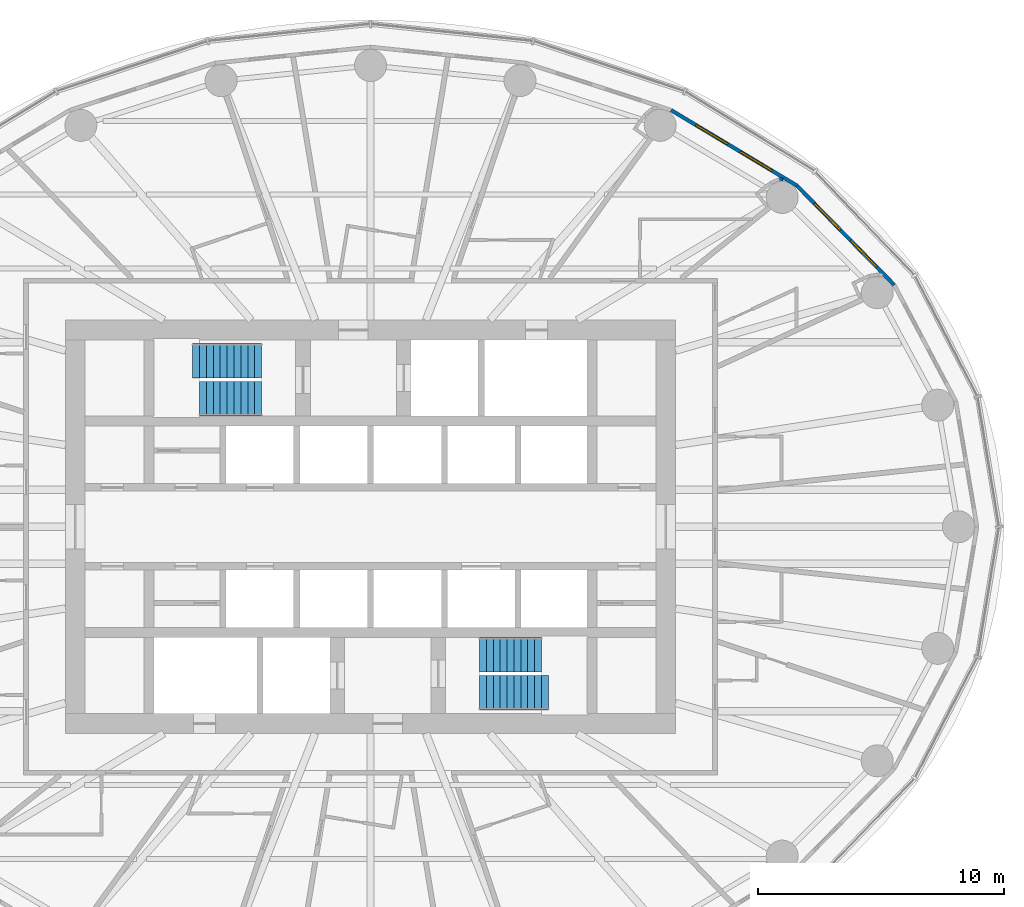
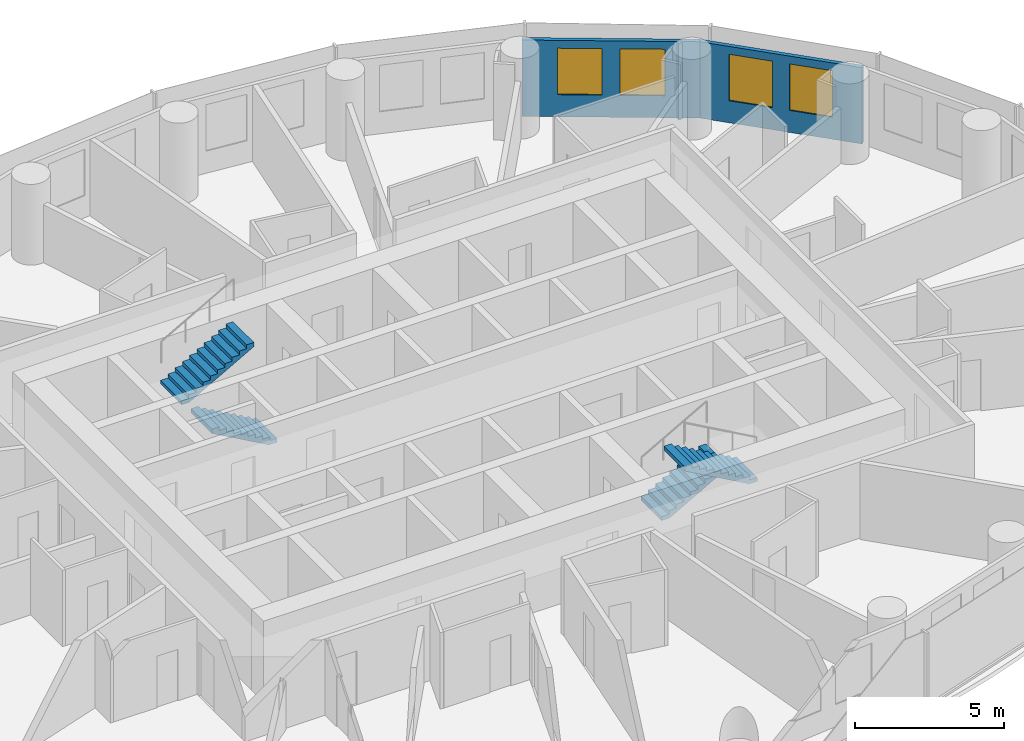
# One storey, part 12 of 13: 4 stair flights, 4 windows, 3 walls, 4 openings, 2 elements without a shape of their own.
"""IFC4 building model written with IfcOpenShell, lengths in metres."""

from ifc_helpers import new_model, si_unit, direction, frame, frame_2d, origin, place, context, subcontext, project, spatial, polyline, rectangle, outline, extrude, material, layer, layer_set, type_object, element, fill, aggregate, save


model = new_model("IFC4")

# Units and contexts
model_context = context("Model", 3, precision=1e-05, world=origin(), true_north=direction((0.0, 1.0)))
body_context = subcontext(model_context, "Body", "Model", "MODEL_VIEW")
ifc_project = project(units=[si_unit("LENGTHUNIT", "METRE"), si_unit("AREAUNIT", "SQUARE_METRE"), si_unit("VOLUMEUNIT", "CUBIC_METRE"), si_unit("PLANEANGLEUNIT", "RADIAN"), si_unit("MASSUNIT", "GRAM", prefix="KILO")], contexts=[model_context])

# Site, building, storey
site_placement = place(None, origin())
site = spatial("IfcSite", under=ifc_project, at=site_placement, CompositionType="ELEMENT")
building_placement = place(site_placement, origin())
building = spatial("IfcBuilding", under=site, at=building_placement, Name="Hankou Lantern Tower", CompositionType="ELEMENT")
storey_placement = place(building_placement, frame((0.0, 0.0, 125.39990234375)))
storey = spatial("IfcBuildingStorey", under=building, at=storey_placement, Name="L32", CompositionType="ELEMENT", Elevation=125.39990234375)

# Wall, openings, windows
ifc_material_1 = material(Name="Aluminium spandrel panel on steel studs", Category="steel")
ifc_layer_1 = layer(ifc_material_1, 0.14990234375)
ifc_layer_set_1 = layer_set([ifc_layer_1], Name="Aluminium spandrel panel on steel studs")
wall_type_1 = type_object("IfcWallType", Name="EW1 INNER SKIN WALL 150", PredefinedType="ELEMENTEDWALL", material=ifc_layer_set_1)
wall_1_placement = place(storey_placement, frame((21.287353515625, 9.83203125, 0.0), z_axis=(0.0, 0.0, 1.0), x_axis=(-0.700136650834, 0.714008872605, 0.0)))
wall_1 = element("IfcWall", 1, at=wall_1_placement, inside=storey, type_object=wall_type_1, Name="Inner skin R03-R04 L32", PredefinedType="ELEMENTEDWALL", context=body_context, shape_type="SweptSolid", body=[
    extrude(rectangle(XDim=5.6494140625, YDim=0.14990234375, at=frame_2d((2.82470703125, 0.0))), origin(), (0.0, 0.0, 1.0), 3.1201171875),
])
opening_1_placement = place(wall_1_placement, frame((1.024658203125, 0.0, 0.89990234375)))
opening_1 = element("IfcOpeningElement", 2, at=opening_1_placement, cuts=wall_1, Name="Opening W2", PredefinedType="OPENING", context=body_context, shape_type="SweptSolid", body=[
    extrude(rectangle(XDim=1.5, YDim=1.89990234375, at=frame_2d((0.75, 0.949951171875))), frame((0.0, 0.0849609375, 0.0), z_axis=(0.0, -1.0, 0.0), x_axis=(1.0, 0.0, 0.0)), (0.0, 0.0, 1.0), 0.169921875),
])
opening_2_placement = place(wall_1_placement, frame((3.12451171875, 0.0, 0.89990234375)))
opening_2 = element("IfcOpeningElement", 3, at=opening_2_placement, cuts=wall_1, Name="Opening W2", PredefinedType="OPENING", context=body_context, shape_type="SweptSolid", body=[
    extrude(rectangle(XDim=1.5, YDim=1.89990234375, at=frame_2d((0.75, 0.949951171875))), frame((0.0, 0.0849609375, 0.0), z_axis=(0.0, -1.0, 0.0), x_axis=(1.0, 0.0, 0.0)), (0.0, 0.0, 1.0), 0.169921875),
])
ifc_material_2 = material(Name="Aluminium framed double glazed window", Category="aluminium")
window_type = type_object("IfcWindowType", Name="W2 GUEST ROOM WINDOW 1500X1900", PartitioningType="DOUBLE_PANEL_VERTICAL", PredefinedType="WINDOW", material=ifc_material_2)
window_1_placement = place(opening_1_placement, origin())
window_1 = element("IfcWindow", 4, at=window_1_placement, inside=storey, type_object=window_type, Name="Window R03.1 L32", OverallHeight=1.89990234375, OverallWidth=1.5, PartitioningType="SINGLE_PANEL", PredefinedType="WINDOW", context=body_context, shape_type="SweptSolid", body=[
    extrude(rectangle(XDim=1.5, YDim=1.89990234375, at=frame_2d((0.75, 0.949951171875))), frame((0.0, 0.030029296875, 0.0), z_axis=(0.0, -1.0, 0.0), x_axis=(1.0, 0.0, 0.0)), (0.0, 0.0, 1.0), 0.06005859375),
])
fill(opening_1, window_1)
window_2_placement = place(opening_2_placement, origin())
window_2 = element("IfcWindow", 5, at=window_2_placement, inside=storey, type_object=window_type, Name="Window R03.2 L32", OverallHeight=1.89990234375, OverallWidth=1.5, PartitioningType="SINGLE_PANEL", PredefinedType="WINDOW", context=body_context, shape_type="SweptSolid", body=[
    extrude(rectangle(XDim=1.5, YDim=1.89990234375, at=frame_2d((0.75, 0.949951171875))), frame((0.0, 0.030029296875, 0.0), z_axis=(0.0, -1.0, 0.0), x_axis=(1.0, 0.0, 0.0)), (0.0, 0.0, 1.0), 0.06005859375),
])
fill(opening_2, window_2)

wall_2_placement = place(storey_placement, frame((17.33203125, 13.86572265625, 0.0), z_axis=(0.0, 0.0, 1.0), x_axis=(-0.857308573723, 0.514802884044, 0.0)))
wall_2 = element("IfcWall", 6, at=wall_2_placement, inside=storey, type_object=wall_type_1, Name="Inner skin R04-R05 L32", PredefinedType="ELEMENTEDWALL", context=body_context, shape_type="SweptSolid", body=[
    extrude(rectangle(XDim=5.961181640625, YDim=0.14990234375, at=frame_2d((2.98046875, 0.0))), origin(), (0.0, 0.0, 1.0), 3.1201171875),
])
opening_3_placement = place(wall_2_placement, frame((1.1806640625, 0.0, 0.89990234375)))
opening_3 = element("IfcOpeningElement", 7, at=opening_3_placement, cuts=wall_2, Name="Opening W2", PredefinedType="OPENING", context=body_context, shape_type="SweptSolid", body=[
    extrude(rectangle(XDim=1.5, YDim=1.89990234375, at=frame_2d((0.75, 0.949951171875))), frame((0.0, 0.0849609375, 0.0), z_axis=(0.0, -1.0, 0.0), x_axis=(1.0, 0.0, 0.0)), (0.0, 0.0, 1.0), 0.169921875),
])
opening_4_placement = place(wall_2_placement, frame((3.280517578125, 0.0, 0.89990234375)))
opening_4 = element("IfcOpeningElement", 8, at=opening_4_placement, cuts=wall_2, Name="Opening W2", PredefinedType="OPENING", context=body_context, shape_type="SweptSolid", body=[
    extrude(rectangle(XDim=1.5, YDim=1.89990234375, at=frame_2d((0.75, 0.949951171875))), frame((0.0, 0.0849609375, 0.0), z_axis=(0.0, -1.0, 0.0), x_axis=(1.0, 0.0, 0.0)), (0.0, 0.0, 1.0), 0.169921875),
])
window_3_placement = place(opening_3_placement, origin())
window_3 = element("IfcWindow", 9, at=window_3_placement, inside=storey, type_object=window_type, Name="Window R04.1 L32", OverallHeight=1.89990234375, OverallWidth=1.5, PartitioningType="SINGLE_PANEL", PredefinedType="WINDOW", context=body_context, shape_type="SweptSolid", body=[
    extrude(rectangle(XDim=1.5, YDim=1.89990234375, at=frame_2d((0.75, 0.949951171875))), frame((0.0, 0.030029296875, 0.0), z_axis=(0.0, -1.0, 0.0), x_axis=(1.0, 0.0, 0.0)), (0.0, 0.0, 1.0), 0.06005859375),
])
fill(opening_3, window_3)
window_4_placement = place(opening_4_placement, origin())
window_4 = element("IfcWindow", 10, at=window_4_placement, inside=storey, type_object=window_type, Name="Window R04.2 L32", OverallHeight=1.89990234375, OverallWidth=1.5, PartitioningType="SINGLE_PANEL", PredefinedType="WINDOW", context=body_context, shape_type="SweptSolid", body=[
    extrude(rectangle(XDim=1.5, YDim=1.89990234375, at=frame_2d((0.75, 0.949951171875))), frame((0.0, 0.030029296875, 0.0), z_axis=(0.0, -1.0, 0.0), x_axis=(1.0, 0.0, 0.0)), (0.0, 0.0, 1.0), 0.06005859375),
])
fill(opening_4, window_4)

# Wall
ifc_material_3 = material(Name="Masonry lightweight concrete block", Category="masonry")
ifc_layer_2 = layer(ifc_material_3, 0.1201171875)
ifc_layer_set_2 = layer_set([ifc_layer_2], Name="Masonry lightweight concrete block")
wall_type_2 = type_object("IfcWallType", Name="IW4 PARTITION 120", PredefinedType="PARTITIONING", material=ifc_layer_set_2)
wall_3_placement = place(storey_placement, frame((16.6201171875, 14.13427734375, 0.0), z_axis=(0.0, 0.0, 1.0), x_axis=(0.993941871493, -0.109907033867, 0.0)))
element("IfcWall", 11, at=wall_3_placement, inside=storey, type_object=wall_type_2, Name="Column casing R04", PredefinedType="PARTITIONING", context=body_context, shape_type="SweptSolid", body=[
    extrude(rectangle(XDim=0.1533203125, YDim=0.1201171875, at=frame_2d((0.07666015625, 0.0))), origin(), (0.0, 0.0, 1.0), 3.1201171875),
])

# Stair, stair flight
ifc_material_4 = material(Name="Concrete C40", Category="concrete")
stair_type = type_object("IfcStairType", Name="ST33 CORE STAIR 3300 RISE", PredefinedType="HALF_TURN_STAIR", material=ifc_material_4)
stair_1_placement = place(storey_placement, origin())
stair_1 = element("IfcStair", 12, at=stair_1_placement, inside=storey, type_object=stair_type, Name="Stair STA L32", PredefinedType="HALF_TURN_STAIR")
ifc_material_5 = material(Name="Concrete C40", Category="concrete")
stair_flight_type_1 = type_object("IfcStairFlightType", Name="CF10 CORE STAIR FLIGHT 1400 X 10 RISERS", PredefinedType="STRAIGHT", material=ifc_material_5)
stair_flight_1_placement = place(storey_placement, frame((-4.429931640625, 5.199951171875, 0.0), z_axis=(0.0, 0.0, 1.0), x_axis=(-1.0, 0.0, 0.0)))
stair_flight_1 = element("IfcStairFlight", 13, at=stair_flight_1_placement, type_object=stair_flight_type_1, Name="STA flight 1", NumberOfRisers=10, NumberOfTreads=9, PredefinedType="STRAIGHT", RiserHeight=0.157142857, TreadLength=0.28, context=body_context, shape_type="SweptSolid", body=[
    extrude(outline(polyline([(0.0, 0.0), (0.0, 0.1572265625), (0.280029296875, 0.1572265625), (0.280029296875, 0.314208984375), (0.56005859375, 0.314208984375), (0.56005859375, 0.471435546875), (0.840087890625, 0.471435546875), (0.840087890625, 0.628662109375), (1.1201171875, 0.628662109375), (1.1201171875, 0.78564453125), (1.39990234375, 0.78564453125), (1.39990234375, 0.94287109375), (1.679931640625, 0.94287109375), (1.679931640625, 1.10009765625), (1.9599609375, 1.10009765625), (1.9599609375, 1.257080078125), (2.239990234375, 1.257080078125), (2.239990234375, 1.414306640625), (2.52001953125, 1.414306640625), (2.52001953125, 1.571533203125), (2.52001953125, 1.242431640625), (0.306396484375, 0.0), (0.0, 0.0)])), frame((0.0, 0.699951171875, 0.0), z_axis=(0.0, -1.0, 0.0), x_axis=(1.0, 0.0, 0.0)), (0.0, 0.0, 1.0), 1.39990234375),
])

stair_2_placement = place(storey_placement, origin())
stair_2 = element("IfcStair", 14, at=stair_2_placement, inside=storey, type_object=stair_type, Name="Stair STB L32", PredefinedType="HALF_TURN_STAIR")
stair_flight_2_placement = place(storey_placement, frame((4.429931640625, -5.199951171875, 0.0), z_axis=(0.0, 0.0, 1.0), x_axis=(1.0, 0.0, 0.0)))
stair_flight_2 = element("IfcStairFlight", 15, at=stair_flight_2_placement, type_object=stair_flight_type_1, Name="STB flight 1", NumberOfRisers=10, NumberOfTreads=9, PredefinedType="STRAIGHT", RiserHeight=0.157142857, TreadLength=0.28, context=body_context, shape_type="SweptSolid", body=[
    extrude(outline(polyline([(0.0, 0.0), (0.0, 0.1572265625), (0.280029296875, 0.1572265625), (0.280029296875, 0.314208984375), (0.56005859375, 0.314208984375), (0.56005859375, 0.471435546875), (0.840087890625, 0.471435546875), (0.840087890625, 0.628662109375), (1.1201171875, 0.628662109375), (1.1201171875, 0.78564453125), (1.39990234375, 0.78564453125), (1.39990234375, 0.94287109375), (1.679931640625, 0.94287109375), (1.679931640625, 1.10009765625), (1.9599609375, 1.10009765625), (1.9599609375, 1.257080078125), (2.239990234375, 1.257080078125), (2.239990234375, 1.414306640625), (2.52001953125, 1.414306640625), (2.52001953125, 1.571533203125), (2.52001953125, 1.242431640625), (0.306396484375, 0.0), (0.0, 0.0)])), frame((0.0, 0.699951171875, 0.0), z_axis=(0.0, -1.0, 0.0), x_axis=(1.0, 0.0, 0.0)), (0.0, 0.0, 1.0), 1.39990234375),
])

# Stair flight
ifc_material_6 = material(Name="Concrete C40", Category="concrete")
stair_flight_type_2 = type_object("IfcStairFlightType", Name="CF11 CORE STAIR FLIGHT 1400 X 11 RISERS", PredefinedType="STRAIGHT", material=ifc_material_6)
stair_flight_3_placement = place(storey_placement, frame((-7.22998046875, 6.75, 1.571533203125), z_axis=(0.0, 0.0, 1.0), x_axis=(1.0, 0.0, 0.0)))
stair_flight_3 = element("IfcStairFlight", 16, at=stair_flight_3_placement, type_object=stair_flight_type_2, Name="STA flight 2", NumberOfRisers=11, NumberOfTreads=10, PredefinedType="STRAIGHT", RiserHeight=0.157142857, TreadLength=0.28, context=body_context, shape_type="SweptSolid", body=[
    extrude(outline(polyline([(0.0, 0.0), (0.0, 0.1572265625), (0.280029296875, 0.1572265625), (0.280029296875, 0.314208984375), (0.56005859375, 0.314208984375), (0.56005859375, 0.471435546875), (0.840087890625, 0.471435546875), (0.840087890625, 0.628662109375), (1.1201171875, 0.628662109375), (1.1201171875, 0.78564453125), (1.39990234375, 0.78564453125), (1.39990234375, 0.94287109375), (1.679931640625, 0.94287109375), (1.679931640625, 1.10009765625), (1.9599609375, 1.10009765625), (1.9599609375, 1.257080078125), (2.239990234375, 1.257080078125), (2.239990234375, 1.414306640625), (2.52001953125, 1.414306640625), (2.52001953125, 1.571533203125), (2.800048828125, 1.571533203125), (2.800048828125, 1.728515625), (2.800048828125, 1.3994140625), (0.306396484375, 0.0), (0.0, 0.0)])), frame((0.0, 0.699951171875, 0.0), z_axis=(0.0, -1.0, 0.0), x_axis=(1.0, 0.0, 0.0)), (0.0, 0.0, 1.0), 1.39990234375),
])

aggregate(stair_1, [stair_flight_1, stair_flight_3])

stair_flight_4_placement = place(storey_placement, frame((7.22998046875, -6.75, 1.571533203125), z_axis=(0.0, 0.0, 1.0), x_axis=(-1.0, 0.0, 0.0)))
stair_flight_4 = element("IfcStairFlight", 17, at=stair_flight_4_placement, type_object=stair_flight_type_2, Name="STB flight 2", NumberOfRisers=11, NumberOfTreads=10, PredefinedType="STRAIGHT", RiserHeight=0.157142857, TreadLength=0.28, context=body_context, shape_type="SweptSolid", body=[
    extrude(outline(polyline([(0.0, 0.0), (0.0, 0.1572265625), (0.280029296875, 0.1572265625), (0.280029296875, 0.314208984375), (0.56005859375, 0.314208984375), (0.56005859375, 0.471435546875), (0.840087890625, 0.471435546875), (0.840087890625, 0.628662109375), (1.1201171875, 0.628662109375), (1.1201171875, 0.78564453125), (1.39990234375, 0.78564453125), (1.39990234375, 0.94287109375), (1.679931640625, 0.94287109375), (1.679931640625, 1.10009765625), (1.9599609375, 1.10009765625), (1.9599609375, 1.257080078125), (2.239990234375, 1.257080078125), (2.239990234375, 1.414306640625), (2.52001953125, 1.414306640625), (2.52001953125, 1.571533203125), (2.800048828125, 1.571533203125), (2.800048828125, 1.728515625), (2.800048828125, 1.3994140625), (0.306396484375, 0.0), (0.0, 0.0)])), frame((0.0, 0.699951171875, 0.0), z_axis=(0.0, -1.0, 0.0), x_axis=(1.0, 0.0, 0.0)), (0.0, 0.0, 1.0), 1.39990234375),
])

aggregate(stair_2, [stair_flight_2, stair_flight_4])

save(model, "model.ifc")
